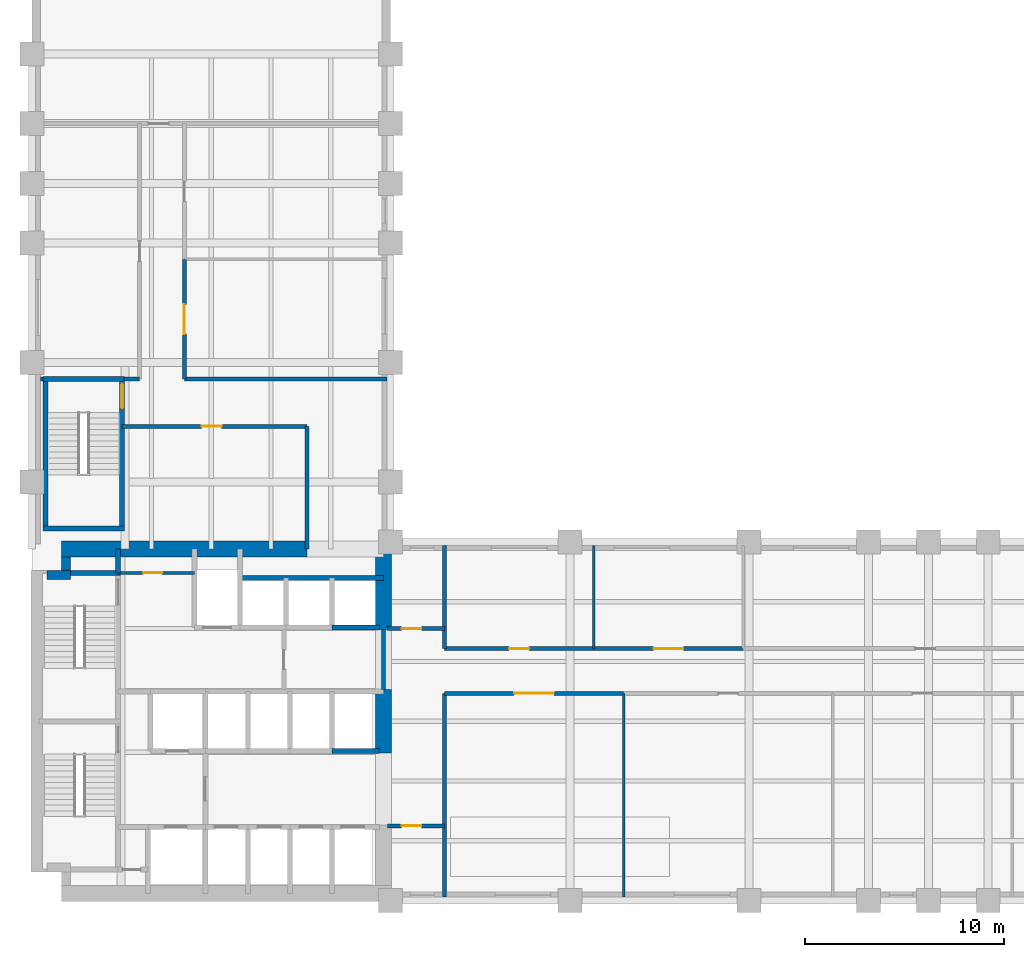
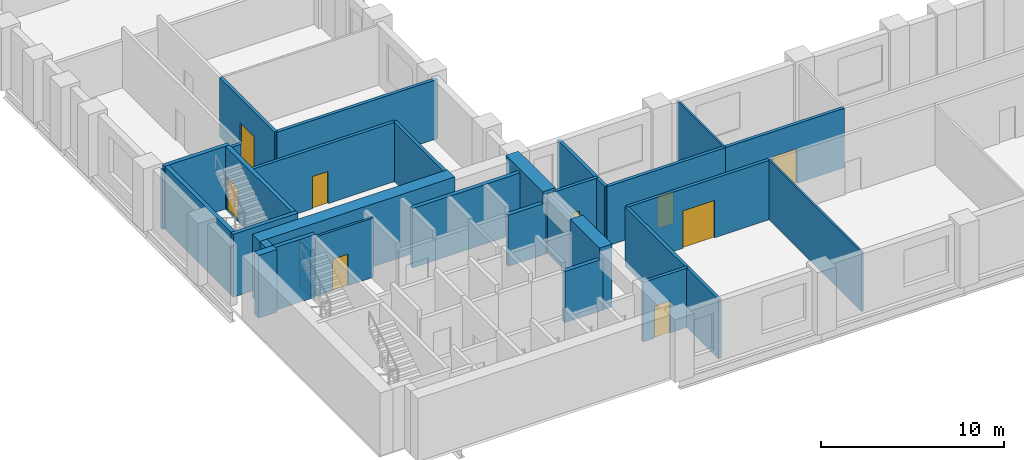
# One storey, part 4 of 7: 31 walls, 9 doors, 9 openings.
"""IFC4 building model written with IfcOpenShell, lengths in metres."""

from ifc_helpers import new_model, si_unit, direction, frame, frame_2d, origin, place, context, subcontext, project, spatial, rectangle, extrude, material, layer, layer_set, type_object, element, fill, save


model = new_model("IFC4")

# Units and contexts
model_context = context("Model", 3, precision=1e-05, world=origin(), true_north=direction((0.0, 1.0)))
body_context = subcontext(model_context, "Body", "Model", "MODEL_VIEW")
ifc_project = project(units=[si_unit("LENGTHUNIT", "METRE"), si_unit("AREAUNIT", "SQUARE_METRE"), si_unit("VOLUMEUNIT", "CUBIC_METRE"), si_unit("PLANEANGLEUNIT", "RADIAN"), si_unit("MASSUNIT", "GRAM", prefix="KILO")], contexts=[model_context])

# Site, building, storey
site_placement = place(None, origin())
site = spatial("IfcSite", under=ifc_project, at=site_placement, CompositionType="ELEMENT")
building_placement = place(site_placement, origin())
building = spatial("IfcBuilding", under=site, at=building_placement, Name="Mawjdan Bourse Tower", CompositionType="ELEMENT")
storey_placement = place(building_placement, frame((0.0, 0.0, 46.800048828125)))
storey = spatial("IfcBuildingStorey", under=building, at=storey_placement, Name="L10", CompositionType="ELEMENT", Elevation=46.800048828125)

# Wall
ifc_material_1 = material(Name="Gypsum Fireboard Assembly")
ifc_layer_1 = layer(ifc_material_1, 0.199951171875)
ifc_layer_set_1 = layer_set([ifc_layer_1], Name="Gypsum Fireboard Assembly")
wall_type_1 = type_object("IfcWallType", Name="WL-CMP-200", PredefinedType="PARTITIONING", material=ifc_layer_set_1)
wall_1_placement = place(storey_placement, frame((23.64990234375, 13.60009765625, 0.0), z_axis=(0.0, 0.0, 1.0), x_axis=(0.0, 1.0, 0.0)))
element("IfcWall", 1, at=wall_1_placement, inside=storey, type_object=wall_type_1, Name="L10 Core Restroom East Enclosing Wall", PredefinedType="PARTITIONING", context=body_context, shape_type="SweptSolid", body=[
    extrude(rectangle(XDim=3.0, YDim=0.199951171875, at=frame_2d((1.5, 0.0))), origin(), (0.0, 0.0, 1.0), 3.969970703125),
])

# Wall, opening, door
wall_2_placement = place(storey_placement, frame((23.85009765625, 6.75, 0.0), z_axis=(0.0, 0.0, 1.0), x_axis=(1.0, 0.0, 0.0)))
wall_2 = element("IfcWall", 2, at=wall_2_placement, inside=storey, type_object=wall_type_1, Name="L10 West Pocket North Wall", PredefinedType="PARTITIONING", context=body_context, shape_type="SweptSolid", body=[
    extrude(rectangle(XDim=2.849853515625, YDim=0.199951171875, at=frame_2d((1.4248046875, 0.0))), origin(), (0.0, 0.0, 1.0), 3.969970703125),
])
opening_1_placement = place(wall_2_placement, frame((0.699951171875, 0.0, 0.0)))
opening_1 = element("IfcOpeningElement", 3, at=opening_1_placement, cuts=wall_2, Name="Opening D-L10-17", PredefinedType="OPENING", context=body_context, shape_type="SweptSolid", body=[
    extrude(rectangle(XDim=1.0, YDim=2.14990234375, at=frame_2d((0.5, 1.074951171875))), frame((0.0, 0.10986328125, 0.0), z_axis=(0.0, -1.0, 0.0), x_axis=(1.0, 0.0, 0.0)), (0.0, 0.0, 1.0), 0.219970703125),
])
ifc_material_2 = material(Name="Hardwood Acoustic Leaf", Category="wood")
door_type_1 = type_object("IfcDoorType", Name="DR-OFC-1000", OperationType="NOTDEFINED", PredefinedType="DOOR", material=ifc_material_2)
door_1_placement = place(opening_1_placement, origin())
door_1 = element("IfcDoor", 4, at=door_1_placement, inside=storey, type_object=door_type_1, Name="L10 West Pocket Office Door D-L10-17", OperationType="SINGLE_SWING_RIGHT", OverallHeight=2.14990234375, OverallWidth=1.0, PredefinedType="DOOR", context=body_context, shape_type="SweptSolid", body=[
    extrude(rectangle(XDim=1.0, YDim=2.14990234375, at=frame_2d((0.5, 1.074951171875))), frame((0.0, 0.02490234375, 0.0), z_axis=(0.0, -1.0, 0.0), x_axis=(1.0, 0.0, 0.0)), (0.0, 0.0, 1.0), 0.050048828125),
])
fill(opening_1, door_1)

wall_3_placement = place(storey_placement, frame((23.85009765625, 16.64990234375, 0.0), z_axis=(0.0, 0.0, 1.0), x_axis=(1.0, 0.0, 0.0)))
wall_3 = element("IfcWall", 5, at=wall_3_placement, inside=storey, type_object=wall_type_1, Name="L10 West North Pocket Wall", PredefinedType="PARTITIONING", context=body_context, shape_type="SweptSolid", body=[
    extrude(rectangle(XDim=2.849853515625, YDim=0.199951171875, at=frame_2d((1.4248046875, 0.0))), origin(), (0.0, 0.0, 1.0), 3.969970703125),
])
opening_2_placement = place(wall_3_placement, frame((0.699951171875, 0.0, 0.0)))
opening_2 = element("IfcOpeningElement", 6, at=opening_2_placement, cuts=wall_3, Name="Opening D-L10-18", PredefinedType="OPENING", context=body_context, shape_type="SweptSolid", body=[
    extrude(rectangle(XDim=1.0, YDim=2.14990234375, at=frame_2d((0.5, 1.074951171875))), frame((0.0, 0.10986328125, 0.0), z_axis=(0.0, -1.0, 0.0), x_axis=(1.0, 0.0, 0.0)), (0.0, 0.0, 1.0), 0.219970703125),
])
door_2_placement = place(opening_2_placement, origin())
door_2 = element("IfcDoor", 7, at=door_2_placement, inside=storey, type_object=door_type_1, Name="L10 West North Pocket Door D-L10-18", OperationType="SINGLE_SWING_LEFT", OverallHeight=2.14990234375, OverallWidth=1.0, PredefinedType="DOOR", context=body_context, shape_type="SweptSolid", body=[
    extrude(rectangle(XDim=1.0, YDim=2.14990234375, at=frame_2d((0.5, 1.074951171875))), frame((0.0, 0.02490234375, 0.0), z_axis=(0.0, -1.0, 0.0), x_axis=(1.0, 0.0, 0.0)), (0.0, 0.0, 1.0), 0.050048828125),
])
fill(opening_2, door_2)

# Walls
wall_4_placement = place(storey_placement, frame((26.699951171875, 3.179931640625, 0.0), z_axis=(0.0, 0.0, 1.0), x_axis=(0.0, 1.0, 0.0)))
element("IfcWall", 8, at=wall_4_placement, inside=storey, type_object=wall_type_1, Name="L10 Vestibule South East Wall", PredefinedType="PARTITIONING", context=body_context, shape_type="SweptSolid", body=[
    extrude(rectangle(XDim=10.219970703125, YDim=0.199951171875, at=frame_2d((5.10986328125, 0.0))), origin(), (0.0, 0.0, 1.0), 3.969970703125),
])
wall_5_placement = place(storey_placement, frame((26.699951171875, 15.64990234375, 0.0), z_axis=(0.0, 0.0, 1.0), x_axis=(0.0, 1.0, 0.0)))
element("IfcWall", 9, at=wall_5_placement, inside=storey, type_object=wall_type_1, Name="L10 Vestibule North East Wall", PredefinedType="PARTITIONING", context=body_context, shape_type="SweptSolid", body=[
    extrude(rectangle(XDim=5.170166015625, YDim=0.199951171875, at=frame_2d((2.5849609375, 0.0))), origin(), (0.0, 0.0, 1.0), 3.969970703125),
])

# Wall, opening, door
wall_6_placement = place(storey_placement, frame((26.699951171875, 13.39990234375, 0.0), z_axis=(0.0, 0.0, 1.0), x_axis=(1.0, 0.0, 0.0)))
wall_6 = element("IfcWall", 10, at=wall_6_placement, inside=storey, type_object=wall_type_1, Name="L10 Trading Floor Corridor Wall", PredefinedType="PARTITIONING", context=body_context, shape_type="SweptSolid", body=[
    extrude(rectangle(XDim=9.0, YDim=0.199951171875, at=frame_2d((4.5, 0.0))), origin(), (0.0, 0.0, 1.0), 3.969970703125),
])
opening_3_placement = place(wall_6_placement, frame((3.5, 0.0, 0.0)))
opening_3 = element("IfcOpeningElement", 11, at=opening_3_placement, cuts=wall_6, Name="Opening D-L10-19", PredefinedType="OPENING", context=body_context, shape_type="SweptSolid", body=[
    extrude(rectangle(XDim=2.0, YDim=2.5, at=frame_2d((1.0, 1.25))), frame((0.0, 0.10986328125, 0.0), z_axis=(0.0, -1.0, 0.0), x_axis=(1.0, 0.0, 0.0)), (0.0, 0.0, 1.0), 0.219970703125),
])
ifc_material_3 = material(Name="Acoustic Veneered Timber", Category="wood")
door_type_2 = type_object("IfcDoorType", Name="DR-ASM-2000", OperationType="DOUBLE_DOOR_SINGLE_SWING", PredefinedType="DOOR", material=ifc_material_3)
door_3_placement = place(opening_3_placement, origin())
door_3 = element("IfcDoor", 12, at=door_3_placement, inside=storey, type_object=door_type_2, Name="L10 Trading Floor Door D-L10-19", OperationType="DOUBLE_DOOR_SINGLE_SWING", OverallHeight=2.5, OverallWidth=2.0, PredefinedType="DOOR", context=body_context, shape_type="SweptSolid", body=[
    extrude(rectangle(XDim=2.0, YDim=2.5, at=frame_2d((1.0, 1.25))), frame((0.0, 0.02490234375, 0.0), z_axis=(0.0, -1.0, 0.0), x_axis=(1.0, 0.0, 0.0)), (0.0, 0.0, 1.0), 0.050048828125),
])
fill(opening_3, door_3)

wall_7_placement = place(storey_placement, frame((26.699951171875, 15.64990234375, 0.0), z_axis=(0.0, 0.0, 1.0), x_axis=(1.0, 0.0, 0.0)))
wall_7 = element("IfcWall", 13, at=wall_7_placement, inside=storey, type_object=wall_type_1, Name="L10 Brokerage Suite Corridor Wall", PredefinedType="PARTITIONING", context=body_context, shape_type="SweptSolid", body=[
    extrude(rectangle(XDim=7.5, YDim=0.199951171875, at=frame_2d((3.75, 0.0))), origin(), (0.0, 0.0, 1.0), 3.969970703125),
])
opening_4_placement = place(wall_7_placement, frame((3.25, 0.0, 0.0)))
opening_4 = element("IfcOpeningElement", 14, at=opening_4_placement, cuts=wall_7, Name="Opening D-L10-23", PredefinedType="OPENING", context=body_context, shape_type="SweptSolid", body=[
    extrude(rectangle(XDim=1.0, YDim=2.14990234375, at=frame_2d((0.5, 1.074951171875))), frame((0.0, 0.10986328125, 0.0), z_axis=(0.0, -1.0, 0.0), x_axis=(1.0, 0.0, 0.0)), (0.0, 0.0, 1.0), 0.219970703125),
])
door_4_placement = place(opening_4_placement, origin())
door_4 = element("IfcDoor", 15, at=door_4_placement, inside=storey, type_object=door_type_1, Name="L10 Brokerage Suite Door D-L10-23", OperationType="SINGLE_SWING_RIGHT", OverallHeight=2.14990234375, OverallWidth=1.0, PredefinedType="DOOR", context=body_context, shape_type="SweptSolid", body=[
    extrude(rectangle(XDim=1.0, YDim=2.14990234375, at=frame_2d((0.5, 1.074951171875))), frame((0.0, 0.02490234375, 0.0), z_axis=(0.0, -1.0, 0.0), x_axis=(1.0, 0.0, 0.0)), (0.0, 0.0, 1.0), 0.050048828125),
])
fill(opening_4, door_4)

wall_8_placement = place(storey_placement, frame((34.199951171875, 15.64990234375, 0.0), z_axis=(0.0, 0.0, 1.0), x_axis=(1.0, 0.0, 0.0)))
wall_8 = element("IfcWall", 16, at=wall_8_placement, inside=storey, type_object=wall_type_1, Name="L10 Conference Room Corridor Wall", PredefinedType="PARTITIONING", context=body_context, shape_type="SweptSolid", body=[
    extrude(rectangle(XDim=7.5, YDim=0.199951171875, at=frame_2d((3.75, 0.0))), origin(), (0.0, 0.0, 1.0), 3.969970703125),
])
opening_5_placement = place(wall_8_placement, frame((3.0, 0.0, 0.0)))
opening_5 = element("IfcOpeningElement", 17, at=opening_5_placement, cuts=wall_8, Name="Opening D-L10-24", PredefinedType="OPENING", context=body_context, shape_type="SweptSolid", body=[
    extrude(rectangle(XDim=1.5, YDim=2.300048828125, at=frame_2d((0.75, 1.14990234375))), frame((0.0, 0.10986328125, 0.0), z_axis=(0.0, -1.0, 0.0), x_axis=(1.0, 0.0, 0.0)), (0.0, 0.0, 1.0), 0.219970703125),
])
ifc_material_4 = material(Name="Acoustic Glazed Timber", Category="wood")
door_type_3 = type_object("IfcDoorType", Name="DR-CNF-1500", OperationType="DOUBLE_DOOR_SINGLE_SWING", PredefinedType="DOOR", material=ifc_material_4)
door_5_placement = place(opening_5_placement, origin())
door_5 = element("IfcDoor", 18, at=door_5_placement, inside=storey, type_object=door_type_3, Name="L10 Conference Room Door D-L10-24", OperationType="DOUBLE_DOOR_SINGLE_SWING", OverallHeight=2.300048828125, OverallWidth=1.5, PredefinedType="DOOR", context=body_context, shape_type="SweptSolid", body=[
    extrude(rectangle(XDim=1.5, YDim=2.300048828125, at=frame_2d((0.75, 1.14990234375))), frame((0.0, 0.02490234375, 0.0), z_axis=(0.0, -1.0, 0.0), x_axis=(1.0, 0.0, 0.0)), (0.0, 0.0, 1.0), 0.050048828125),
])
fill(opening_5, door_5)

wall_9_placement = place(storey_placement, frame((10.52001953125, 26.800048828125, 0.0), z_axis=(0.0, 0.0, 1.0), x_axis=(1.0, 0.0, 0.0)))
wall_9 = element("IfcWall", 19, at=wall_9_placement, inside=storey, type_object=wall_type_1, Name="L10 North Throat North Wall", PredefinedType="PARTITIONING", context=body_context, shape_type="SweptSolid", body=[
    extrude(rectangle(XDim=9.280029296875, YDim=0.199951171875, at=frame_2d((4.64013671875, 0.0))), origin(), (0.0, 0.0, 1.0), 3.969970703125),
])
opening_6_placement = place(wall_9_placement, frame((4.0, 0.0, 0.0)))
opening_6 = element("IfcOpeningElement", 20, at=opening_6_placement, cuts=wall_9, Name="Opening D-L10-27", PredefinedType="OPENING", context=body_context, shape_type="SweptSolid", body=[
    extrude(rectangle(XDim=1.0, YDim=2.14990234375, at=frame_2d((0.5, 1.074951171875))), frame((0.0, 0.10986328125, 0.0), z_axis=(0.0, -1.0, 0.0), x_axis=(1.0, 0.0, 0.0)), (0.0, 0.0, 1.0), 0.219970703125),
])
door_6_placement = place(opening_6_placement, origin())
door_6 = element("IfcDoor", 21, at=door_6_placement, inside=storey, type_object=door_type_1, Name="L10 North Throat Suite Door D-L10-27", OperationType="SINGLE_SWING_LEFT", OverallHeight=2.14990234375, OverallWidth=1.0, PredefinedType="DOOR", context=body_context, shape_type="SweptSolid", body=[
    extrude(rectangle(XDim=1.0, YDim=2.14990234375, at=frame_2d((0.5, 1.074951171875))), frame((0.0, 0.02490234375, 0.0), z_axis=(0.0, -1.0, 0.0), x_axis=(1.0, 0.0, 0.0)), (0.0, 0.0, 1.0), 0.050048828125),
])
fill(opening_6, door_6)

# Walls
wall_10_placement = place(storey_placement, frame((19.800048828125, 20.64990234375, 0.0), z_axis=(0.0, 0.0, 1.0), x_axis=(0.0, 1.0, 0.0)))
element("IfcWall", 22, at=wall_10_placement, inside=storey, type_object=wall_type_1, Name="L10 North Throat East Wall", PredefinedType="PARTITIONING", context=body_context, shape_type="SweptSolid", body=[
    extrude(rectangle(XDim=6.150146484375, YDim=0.199951171875, at=frame_2d((3.0751953125, 0.0))), origin(), (0.0, 0.0, 1.0), 3.969970703125),
])
wall_11_placement = place(storey_placement, frame((6.419921875, 29.179931640625, 0.0), z_axis=(0.0, 0.0, 1.0), x_axis=(1.0, 0.0, 0.0)))
element("IfcWall", 23, at=wall_11_placement, inside=storey, type_object=wall_type_1, Name="L10 North West Band ST3 West Return", PredefinedType="PARTITIONING", context=body_context, shape_type="SweptSolid", body=[
    extrude(rectangle(XDim=0.135009765625, YDim=0.199951171875, at=frame_2d((0.0673828125, 0.0))), origin(), (0.0, 0.0, 1.0), 3.969970703125),
])
wall_12_placement = place(storey_placement, frame((10.6298828125, 29.179931640625, 0.0), z_axis=(0.0, 0.0, 1.0), x_axis=(1.0, 0.0, 0.0)))
element("IfcWall", 24, at=wall_12_placement, inside=storey, type_object=wall_type_1, Name="L10 North West Band South Wall", PredefinedType="PARTITIONING", context=body_context, shape_type="SweptSolid", body=[
    extrude(rectangle(XDim=0.77001953125, YDim=0.199951171875, at=frame_2d((0.385009765625, 0.0))), origin(), (0.0, 0.0, 1.0), 3.969970703125),
])
wall_13_placement = place(storey_placement, frame((13.64990234375, 29.179931640625, 0.0), z_axis=(0.0, 0.0, 1.0), x_axis=(1.0, 0.0, 0.0)))
element("IfcWall", 25, at=wall_13_placement, inside=storey, type_object=wall_type_1, Name="L10 North East Band South Wall", PredefinedType="PARTITIONING", context=body_context, shape_type="SweptSolid", body=[
    extrude(rectangle(XDim=10.170166015625, YDim=0.199951171875, at=frame_2d((5.0849609375, 0.0))), origin(), (0.0, 0.0, 1.0), 3.969970703125),
])

# Wall, opening, door
wall_14_placement = place(storey_placement, frame((13.64990234375, 29.179931640625, 0.0), z_axis=(0.0, 0.0, 1.0), x_axis=(0.0, 1.0, 0.0)))
wall_14 = element("IfcWall", 26, at=wall_14_placement, inside=storey, type_object=wall_type_1, Name="L10 Conference Room Corridor Wall", PredefinedType="PARTITIONING", context=body_context, shape_type="SweptSolid", body=[
    extrude(rectangle(XDim=6.0, YDim=0.199951171875, at=frame_2d((3.0, 0.0))), origin(), (0.0, 0.0, 1.0), 3.969970703125),
])
opening_7_placement = place(wall_14_placement, frame((2.25, 0.0, 0.0)))
opening_7 = element("IfcOpeningElement", 27, at=opening_7_placement, cuts=wall_14, Name="Opening D-L10-29", PredefinedType="OPENING", context=body_context, shape_type="SweptSolid", body=[
    extrude(rectangle(XDim=1.5, YDim=2.300048828125, at=frame_2d((0.75, 1.14990234375))), frame((0.0, 0.10986328125, 0.0), z_axis=(0.0, -1.0, 0.0), x_axis=(1.0, 0.0, 0.0)), (0.0, 0.0, 1.0), 0.219970703125),
])
door_7_placement = place(opening_7_placement, origin())
door_7 = element("IfcDoor", 28, at=door_7_placement, inside=storey, type_object=door_type_3, Name="L10 Conference Room Door D-L10-29", OperationType="DOUBLE_DOOR_SINGLE_SWING", OverallHeight=2.300048828125, OverallWidth=1.5, PredefinedType="DOOR", context=body_context, shape_type="SweptSolid", body=[
    extrude(rectangle(XDim=1.5, YDim=2.300048828125, at=frame_2d((0.75, 1.14990234375))), frame((0.0, 0.02490234375, 0.0), z_axis=(0.0, -1.0, 0.0), x_axis=(1.0, 0.0, 0.0)), (0.0, 0.0, 1.0), 0.050048828125),
])
fill(opening_7, door_7)

# Walls
ifc_material_5 = material(Name="Concrete C60/75", Category="concrete")
ifc_layer_2 = layer(ifc_material_5, 0.449951171875)
ifc_layer_set_2 = layer_set([ifc_layer_2], Name="Concrete C60/75")
wall_type_2 = type_object("IfcWallType", Name="WL-CORE-450", PredefinedType="SHEAR", material=ifc_layer_set_2)
wall_15_placement = place(storey_placement, frame((6.75, 19.35009765625, 0.0), z_axis=(0.0, 0.0, 1.0), x_axis=(1.0, 0.0, 0.0)))
element("IfcWall", 29, at=wall_15_placement, inside=storey, type_object=wall_type_2, Name="L10 Rear Core Shear Wall NW-X", PredefinedType="SHEAR", context=body_context, shape_type="SweptSolid", body=[
    extrude(rectangle(XDim=1.175048828125, YDim=0.449951171875, at=frame_2d((0.58740234375, 0.0))), origin(), (0.0, 0.0, 1.0), 4.199951171875),
])
wall_16_placement = place(storey_placement, frame((7.699951171875, 19.574951171875, 0.0), z_axis=(0.0, 0.0, 1.0), x_axis=(0.0, 1.0, 0.0)))
element("IfcWall", 30, at=wall_16_placement, inside=storey, type_object=wall_type_2, Name="L10 Rear Core Shear Wall NW-Y", PredefinedType="SHEAR", context=body_context, shape_type="SweptSolid", body=[
    extrude(rectangle(XDim=0.675048828125, YDim=0.449951171875, at=frame_2d((0.33740234375, 0.0))), origin(), (0.0, 0.0, 1.0), 4.199951171875),
])
ifc_material_6 = material(Name="Concrete C80/95", Category="concrete")
ifc_layer_3 = layer(ifc_material_6, 0.800048828125)
ifc_layer_set_3 = layer_set([ifc_layer_3], Name="Concrete C80/95")
wall_type_3 = type_object("IfcWallType", Name="WL-CORE-800", PredefinedType="SHEAR", material=ifc_layer_set_3)
wall_17_placement = place(storey_placement, frame((7.47509765625, 20.64990234375, 0.0), z_axis=(0.0, 0.0, 1.0), x_axis=(1.0, 0.0, 0.0)))
element("IfcWall", 31, at=wall_17_placement, inside=storey, type_object=wall_type_3, Name="L10 Rear Core Shear Wall N", PredefinedType="SHEAR", context=body_context, shape_type="SweptSolid", body=[
    extrude(rectangle(XDim=12.324951171875, YDim=0.800048828125, at=frame_2d((6.16259765625, 0.0))), origin(), (0.0, 0.0, 1.0), 4.199951171875),
])
wall_18_placement = place(storey_placement, frame((23.64990234375, 10.39990234375, 0.0), z_axis=(0.0, 0.0, 1.0), x_axis=(0.0, 1.0, 0.0)))
element("IfcWall", 32, at=wall_18_placement, inside=storey, type_object=wall_type_3, Name="L10 Rear Core Shear Wall E2", PredefinedType="SHEAR", context=body_context, shape_type="SweptSolid", body=[
    extrude(rectangle(XDim=3.2001953125, YDim=0.800048828125, at=frame_2d((1.60009765625, 0.0))), origin(), (0.0, 0.0, 1.0), 4.199951171875),
])
wall_19_placement = place(storey_placement, frame((23.64990234375, 16.60009765625, 0.0), z_axis=(0.0, 0.0, 1.0), x_axis=(0.0, 1.0, 0.0)))
element("IfcWall", 33, at=wall_19_placement, inside=storey, type_object=wall_type_3, Name="L10 Rear Core Shear Wall E3", PredefinedType="SHEAR", context=body_context, shape_type="SweptSolid", body=[
    extrude(rectangle(XDim=4.0498046875, YDim=0.800048828125, at=frame_2d((2.02490234375, 0.0))), origin(), (0.0, 0.0, 1.0), 4.199951171875),
])
ifc_material_7 = material(Name="Gypsum Partition")
ifc_layer_4 = layer(ifc_material_7, 0.125)
ifc_layer_set_4 = layer_set([ifc_layer_4], Name="Gypsum Partition")
wall_type_4 = type_object("IfcWallType", Name="WL-PRT-125", PredefinedType="PARTITIONING", material=ifc_layer_set_4)
wall_20_placement = place(storey_placement, frame((35.699951171875, 3.179931640625, 0.0), z_axis=(0.0, 0.0, 1.0), x_axis=(0.0, 1.0, 0.0)))
element("IfcWall", 34, at=wall_20_placement, inside=storey, type_object=wall_type_4, Name="L10 Equities Research Library Partition", PredefinedType="PARTITIONING", context=body_context, shape_type="SweptSolid", body=[
    extrude(rectangle(XDim=10.219970703125, YDim=0.125, at=frame_2d((5.10986328125, 0.0))), origin(), (0.0, 0.0, 1.0), 3.969970703125),
])
wall_21_placement = place(storey_placement, frame((34.199951171875, 15.64990234375, 0.0), z_axis=(0.0, 0.0, 1.0), x_axis=(0.0, 1.0, 0.0)))
element("IfcWall", 35, at=wall_21_placement, inside=storey, type_object=wall_type_4, Name="L10 Conference Room Partition", PredefinedType="PARTITIONING", context=body_context, shape_type="SweptSolid", body=[
    extrude(rectangle(XDim=5.170166015625, YDim=0.125, at=frame_2d((2.5849609375, 0.0))), origin(), (0.0, 0.0, 1.0), 3.969970703125),
])

# Wall, opening, door
ifc_material_8 = material(Name="Gypsum Acoustic Partition")
ifc_layer_5 = layer(ifc_material_8, 0.14990234375)
ifc_layer_set_5 = layer_set([ifc_layer_5], Name="Gypsum Acoustic Partition")
wall_type_5 = type_object("IfcWallType", Name="WL-PRT-150", PredefinedType="PARTITIONING", material=ifc_layer_set_5)
wall_22_placement = place(storey_placement, frame((10.330078125, 19.449951171875, 0.0), z_axis=(0.0, 0.0, 1.0), x_axis=(1.0, 0.0, 0.0)))
wall_22 = element("IfcWall", 36, at=wall_22_placement, inside=storey, type_object=wall_type_5, Name="L10 Housekeeping South Wall", PredefinedType="PARTITIONING", context=body_context, shape_type="SweptSolid", body=[
    extrude(rectangle(XDim=3.81982421875, YDim=0.14990234375, at=frame_2d((1.909912109375, 0.0))), origin(), (0.0, 0.0, 1.0), 3.969970703125),
])
opening_8_placement = place(wall_22_placement, frame((1.25, 0.0, 0.0)))
opening_8 = element("IfcOpeningElement", 37, at=opening_8_placement, cuts=wall_22, Name="Opening D-L10-15", PredefinedType="OPENING", context=body_context, shape_type="SweptSolid", body=[
    extrude(rectangle(XDim=0.949951171875, YDim=2.10009765625, at=frame_2d((0.47509765625, 1.050048828125))), frame((0.0, 0.0849609375, 0.0), z_axis=(0.0, -1.0, 0.0), x_axis=(1.0, 0.0, 0.0)), (0.0, 0.0, 1.0), 0.169921875),
])
ifc_material_9 = material(Name="Moisture-Resistant Laminate Timber", Category="wood")
door_type_4 = type_object("IfcDoorType", Name="DR-WET-0950", OperationType="NOTDEFINED", PredefinedType="DOOR", material=ifc_material_9)
door_8_placement = place(opening_8_placement, origin())
door_8 = element("IfcDoor", 38, at=door_8_placement, inside=storey, type_object=door_type_4, Name="L10 Housekeeping Closet Door D-L10-15", OperationType="SINGLE_SWING_RIGHT", OverallHeight=2.10009765625, OverallWidth=0.949951171875, PredefinedType="DOOR", context=body_context, shape_type="SweptSolid", body=[
    extrude(rectangle(XDim=0.949951171875, YDim=2.10009765625, at=frame_2d((0.47509765625, 1.050048828125))), frame((0.0, 0.02490234375, 0.0), z_axis=(0.0, -1.0, 0.0), x_axis=(1.0, 0.0, 0.0)), (0.0, 0.0, 1.0), 0.050048828125),
])
fill(opening_8, door_8)

# Walls
ifc_material_10 = material(Name="Concrete C50/60", Category="concrete")
ifc_layer_6 = layer(ifc_material_10, 0.25)
ifc_layer_set_6 = layer_set([ifc_layer_6], Name="Concrete C50/60")
wall_type_6 = type_object("IfcWallType", Name="WL-SHFT-250", PredefinedType="PARTITIONING", material=ifc_layer_set_6)
wall_23_placement = place(storey_placement, frame((10.330078125, 19.449951171875, 0.0), z_axis=(0.0, 0.0, 1.0), x_axis=(0.0, 1.0, 0.0)))
element("IfcWall", 39, at=wall_23_placement, inside=storey, type_object=wall_type_6, Name="L10 NW Riser East Wall", PredefinedType="PARTITIONING", context=body_context, shape_type="SweptSolid", body=[
    extrude(rectangle(XDim=1.199951171875, YDim=0.25, at=frame_2d((0.60009765625, 0.0))), origin(), (0.0, 0.0, 1.0), 3.114013671875),
])
wall_24_placement = place(storey_placement, frame((21.050048828125, 16.699951171875, 0.0), z_axis=(0.0, 0.0, 1.0), x_axis=(1.0, 0.0, 0.0)))
element("IfcWall", 40, at=wall_24_placement, inside=storey, type_object=wall_type_6, Name="L10 PH-03 Front Wall", PredefinedType="PARTITIONING", context=body_context, shape_type="SweptSolid", body=[
    extrude(rectangle(XDim=2.39990234375, YDim=0.25, at=frame_2d((1.199951171875, 0.0))), origin(), (0.0, 0.0, 1.0), 3.426025390625),
])
wall_25_placement = place(storey_placement, frame((16.449951171875, 19.199951171875, 0.0), z_axis=(0.0, 0.0, 1.0), x_axis=(1.0, 0.0, 0.0)))
element("IfcWall", 41, at=wall_25_placement, inside=storey, type_object=wall_type_6, Name="L10 PH Bank North Shaft Back Wall", PredefinedType="PARTITIONING", context=body_context, shape_type="SweptSolid", body=[
    extrude(rectangle(XDim=7.199951171875, YDim=0.25, at=frame_2d((3.60009765625, 0.0))), origin(), (0.0, 0.0, 1.0), 3.969970703125),
])
wall_26_placement = place(storey_placement, frame((21.050048828125, 10.5, 0.0), z_axis=(0.0, 0.0, 1.0), x_axis=(1.0, 0.0, 0.0)))
element("IfcWall", 42, at=wall_26_placement, inside=storey, type_object=wall_type_6, Name="L10 PM-04 Front Wall", PredefinedType="PARTITIONING", context=body_context, shape_type="SweptSolid", body=[
    extrude(rectangle(XDim=2.39990234375, YDim=0.25, at=frame_2d((1.199951171875, 0.0))), origin(), (0.0, 0.0, 1.0), 3.426025390625),
])
ifc_layer_7 = layer(ifc_material_10, 0.25)
ifc_layer_set_7 = layer_set([ifc_layer_7], Name="Concrete C50/60")
wall_type_7 = type_object("IfcWallType", Name="WL-STRW-250", PredefinedType="SHEAR", material=ifc_layer_set_7)
wall_27_placement = place(storey_placement, frame((7.699951171875, 19.449951171875, 0.0), z_axis=(0.0, 0.0, 1.0), x_axis=(1.0, 0.0, 0.0)))
element("IfcWall", 43, at=wall_27_placement, inside=storey, type_object=wall_type_7, Name="L10 Stairwell ST2 North Shaft Wall", PredefinedType="SHEAR", context=body_context, shape_type="SweptSolid", body=[
    extrude(rectangle(XDim=2.755126953125, YDim=0.25, at=frame_2d((1.37744140625, 0.0))), origin(), (0.0, 0.0, 1.0), 4.199951171875),
])
for number, where, z_axis, x_axis, name in (
    (44, (6.554931640625, 21.679931640625, 0.0), (0.0, 0.0, 1.0), (1.0, 0.0, 0.0), "L10 ST3 South Shaft Wall"),
    (45, (6.554931640625, 29.179931640625, 0.0), (0.0, 0.0, 1.0), (1.0, 0.0, 0.0), "L10 ST3 North Shaft Wall"),
):
    element("IfcWall", number, at=place(storey_placement, frame(where, z_axis=z_axis, x_axis=x_axis)), inside=storey, type_object=wall_type_7, Name=name, PredefinedType="SHEAR", context=body_context, shape_type="SweptSolid", body=[
        extrude(rectangle(XDim=4.090087890625, YDim=0.25, at=frame_2d((2.044921875, 0.0))), origin(), (0.0, 0.0, 1.0), 4.199951171875),
    ])
wall_28_placement = place(storey_placement, frame((6.679931640625, 21.679931640625, 0.0), z_axis=(0.0, 0.0, 1.0), x_axis=(0.0, 1.0, 0.0)))
element("IfcWall", 46, at=wall_28_placement, inside=storey, type_object=wall_type_7, Name="L10 ST3 West Shaft Wall", PredefinedType="SHEAR", context=body_context, shape_type="SweptSolid", body=[
    extrude(rectangle(XDim=7.5, YDim=0.25, at=frame_2d((3.75, 0.0))), origin(), (0.0, 0.0, 1.0), 4.199951171875),
])

# Wall, opening, door
wall_29_placement = place(storey_placement, frame((10.52001953125, 21.679931640625, 0.0), z_axis=(0.0, 0.0, 1.0), x_axis=(0.0, 1.0, 0.0)))
wall_29 = element("IfcWall", 47, at=wall_29_placement, inside=storey, type_object=wall_type_7, Name="L10 ST3 East Shaft Wall", PredefinedType="SHEAR", context=body_context, shape_type="SweptSolid", body=[
    extrude(rectangle(XDim=7.5, YDim=0.25, at=frame_2d((3.75, 0.0))), origin(), (0.0, 0.0, 1.0), 4.199951171875),
])
opening_9_placement = place(wall_29_placement, frame((6.02001953125, 0.0, 0.0)))
opening_9 = element("IfcOpeningElement", 48, at=opening_9_placement, cuts=wall_29, Name="Opening SD-L10-16", PredefinedType="OPENING", context=body_context, shape_type="SweptSolid", body=[
    extrude(rectangle(XDim=1.25, YDim=2.199951171875, at=frame_2d((0.625, 1.10009765625))), frame((0.0, 0.135009765625, 0.0), z_axis=(0.0, -1.0, 0.0), x_axis=(1.0, 0.0, 0.0)), (0.0, 0.0, 1.0), 0.27001953125),
])
ifc_material_11 = material(Name="Fire-Rated Steel Leaf", Category="steel")
door_type_5 = type_object("IfcDoorType", Name="FD-ST-1250", OperationType="NOTDEFINED", PredefinedType="DOOR", material=ifc_material_11)
door_9_placement = place(opening_9_placement, origin())
door_9 = element("IfcDoor", 49, at=door_9_placement, inside=storey, type_object=door_type_5, Name="L10 Stair ST3 Fire Door SD-L10-16", OperationType="SINGLE_SWING_LEFT", OverallHeight=2.199951171875, OverallWidth=1.25, PredefinedType="DOOR", context=body_context, shape_type="SweptSolid", body=[
    extrude(rectangle(XDim=1.25, YDim=2.199951171875, at=frame_2d((0.625, 1.10009765625))), frame((0.0, 0.02490234375, 0.0), z_axis=(0.0, -1.0, 0.0), x_axis=(1.0, 0.0, 0.0)), (0.0, 0.0, 1.0), 0.050048828125),
])
fill(opening_9, door_9)

save(model, "model.ifc")
